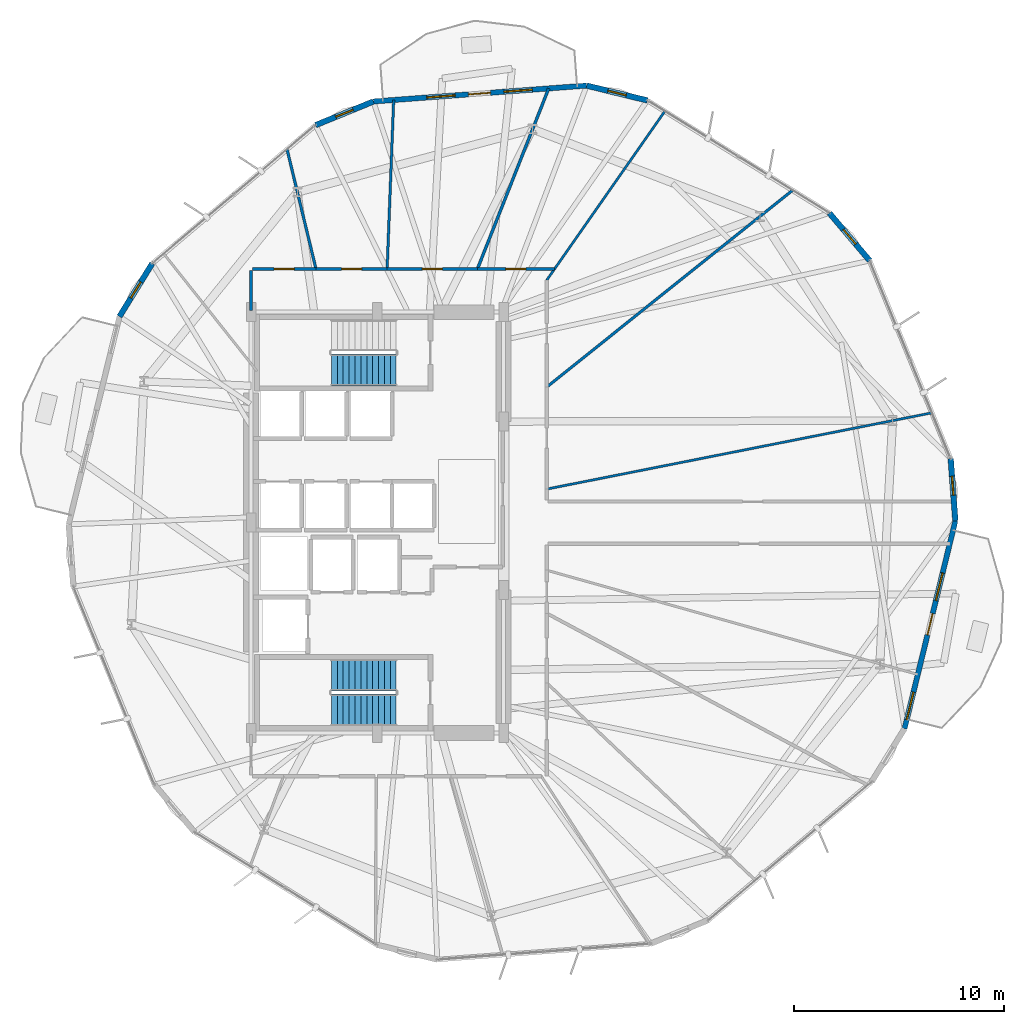
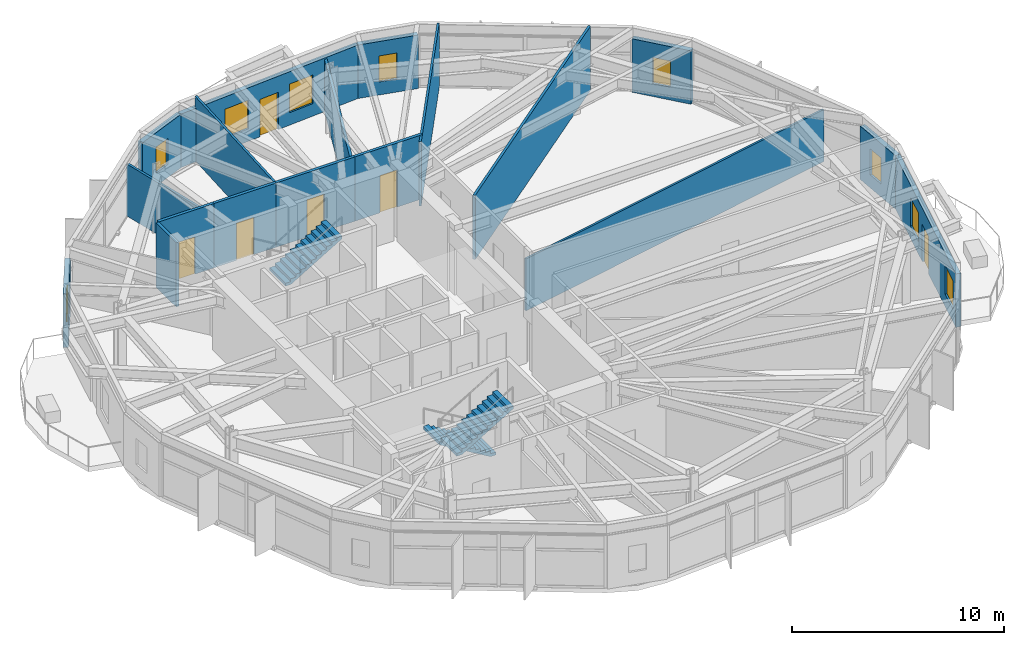
# One storey, part 18 of 22: 18 walls, 9 windows, 6 doors, 3 stair flights, 15 openings, 2 elements without a shape of their own.
"""IFC4 building model written with IfcOpenShell, lengths in metres."""

from ifc_helpers import new_model, si_unit, direction, frame, frame_2d, origin, place, context, subcontext, project, spatial, polyline, rectangle, outline, extrude, material, layer, layer_set, type_object, element, fill, aggregate, save


model = new_model("IFC4")

# Units and contexts
model_context = context("Model", 3, precision=1e-05, world=origin(), true_north=direction((0.0, 1.0)))
body_context = subcontext(model_context, "Body", "Model", "MODEL_VIEW")
ifc_project = project(units=[si_unit("LENGTHUNIT", "METRE"), si_unit("AREAUNIT", "SQUARE_METRE"), si_unit("VOLUMEUNIT", "CUBIC_METRE"), si_unit("PLANEANGLEUNIT", "RADIAN"), si_unit("MASSUNIT", "GRAM", prefix="KILO")], contexts=[model_context])

# Site, building, storey
site_placement = place(None, origin())
site = spatial("IfcSite", under=ifc_project, at=site_placement, CompositionType="ELEMENT")
building_placement = place(site_placement, origin())
building = spatial("IfcBuilding", under=site, at=building_placement, Name="Soratama Intermodal Tower", CompositionType="ELEMENT")
storey_placement = place(building_placement, frame((0.0, 0.0, 46.60009765625)))
storey = spatial("IfcBuildingStorey", under=building, at=storey_placement, Name="L10", CompositionType="ELEMENT", Elevation=46.60009765625)

# Wall, openings, door, windows
ifc_material_1 = material(Name="Concrete f'c 42 MPa", Category="concrete")
ifc_layer_1 = layer(ifc_material_1, 0.25)
ifc_layer_set_1 = layer_set([ifc_layer_1], Name="Concrete f'c 42 MPa")
wall_type_1 = type_object("IfcWallType", Name="EW-BAL-250", PredefinedType="SOLIDWALL", material=ifc_layer_set_1)
wall_1_placement = place(storey_placement, frame((48.550048828125, 45.763671875, 0.0), z_axis=(0.0, 0.0, 1.0), x_axis=(-0.997237065948, -0.07428481877, 0.0)))
wall_1 = element("IfcWall", 1, at=wall_1_placement, inside=storey, type_object=wall_type_1, Name="L10 Terrace Wall F03", PredefinedType="SOLIDWALL", context=body_context, shape_type="SweptSolid", body=[
    extrude(rectangle(XDim=10.165283203125, YDim=0.25, at=frame_2d((5.08251953125, 0.0))), origin(), (0.0, 0.0, 1.0), 3.078857421875),
])
opening_1_placement = place(wall_1_placement, frame((4.58251953125, 0.0, 0.0)))
opening_1 = element("IfcOpeningElement", 2, at=opening_1_placement, cuts=wall_1, Name="Opening ED-5", PredefinedType="OPENING", context=body_context, shape_type="SweptSolid", body=[
    extrude(rectangle(XDim=1.050048828125, YDim=2.14990234375, at=frame_2d((0.52490234375, 1.074951171875))), frame((0.0, 0.135009765625, 0.0), z_axis=(0.0, -1.0, 0.0), x_axis=(1.0, 0.0, 0.0)), (0.0, 0.0, 1.0), 0.27001953125),
])
opening_2_placement = place(wall_1_placement, frame((2.592529296875, 0.0, 0.719970703125)))
opening_2 = element("IfcOpeningElement", 3, at=opening_2_placement, cuts=wall_1, Name="Opening WN-4", PredefinedType="OPENING", context=body_context, shape_type="SweptSolid", body=[
    extrude(rectangle(XDim=1.35009765625, YDim=1.64990234375, at=frame_2d((0.675048828125, 0.824951171875))), frame((0.0, 0.135009765625, 0.0), z_axis=(0.0, -1.0, 0.0), x_axis=(1.0, 0.0, 0.0)), (0.0, 0.0, 1.0), 0.27001953125),
])
opening_3_placement = place(wall_1_placement, frame((6.272705078125, 0.0, 0.719970703125)))
opening_3 = element("IfcOpeningElement", 4, at=opening_3_placement, cuts=wall_1, Name="Opening WN-4", PredefinedType="OPENING", context=body_context, shape_type="SweptSolid", body=[
    extrude(rectangle(XDim=1.35009765625, YDim=1.64990234375, at=frame_2d((0.675048828125, 0.824951171875))), frame((0.0, 0.135009765625, 0.0), z_axis=(0.0, -1.0, 0.0), x_axis=(1.0, 0.0, 0.0)), (0.0, 0.0, 1.0), 0.27001953125),
])
ifc_material_2 = material(Name="Double-glazed aluminium door", Category="aluminium")
door_type_1 = type_object("IfcDoorType", Name="DR-BAL-1050", OperationType="NOTDEFINED", PredefinedType="DOOR", material=ifc_material_2)
door_1_placement = place(opening_1_placement, origin())
door_1 = element("IfcDoor", 5, at=door_1_placement, inside=storey, type_object=door_type_1, Name="L10 Balcony Door F03", OperationType="SINGLE_SWING_LEFT", OverallHeight=2.14990234375, OverallWidth=1.050048828125, PredefinedType="DOOR", context=body_context, shape_type="SweptSolid", body=[
    extrude(rectangle(XDim=1.050048828125, YDim=2.14990234375, at=frame_2d((0.52490234375, 1.074951171875))), frame((0.0, 0.02490234375, 0.0), z_axis=(0.0, -1.0, 0.0), x_axis=(1.0, 0.0, 0.0)), (0.0, 0.0, 1.0), 0.050048828125),
])
fill(opening_1, door_1)
ifc_material_3 = material(Name="Double-glazed aluminium window", Category="aluminium")
window_type_1 = type_object("IfcWindowType", Name="WN-FAC-1350", PartitioningType="SINGLE_PANEL", PredefinedType="WINDOW", material=ifc_material_3)
window_1_placement = place(opening_2_placement, origin())
window_1 = element("IfcWindow", 6, at=window_1_placement, inside=storey, type_object=window_type_1, Name="L10 Window A F03", OverallHeight=1.64990234375, OverallWidth=1.35009765625, PartitioningType="SINGLE_PANEL", PredefinedType="WINDOW", context=body_context, shape_type="SweptSolid", body=[
    extrude(rectangle(XDim=1.35009765625, YDim=1.64990234375, at=frame_2d((0.675048828125, 0.824951171875))), frame((0.0, 0.030029296875, 0.0), z_axis=(0.0, -1.0, 0.0), x_axis=(1.0, 0.0, 0.0)), (0.0, 0.0, 1.0), 0.06005859375),
])
fill(opening_2, window_1)
window_2_placement = place(opening_3_placement, origin())
window_2 = element("IfcWindow", 7, at=window_2_placement, inside=storey, type_object=window_type_1, Name="L10 Window B F03", OverallHeight=1.64990234375, OverallWidth=1.35009765625, PartitioningType="SINGLE_PANEL", PredefinedType="WINDOW", context=body_context, shape_type="SweptSolid", body=[
    extrude(rectangle(XDim=1.35009765625, YDim=1.64990234375, at=frame_2d((0.675048828125, 0.824951171875))), frame((0.0, 0.030029296875, 0.0), z_axis=(0.0, -1.0, 0.0), x_axis=(1.0, 0.0, 0.0)), (0.0, 0.0, 1.0), 0.06005859375),
])
fill(opening_3, window_2)

wall_2_placement = place(storey_placement, frame((63.650390625, 15.20751953125, 0.0), z_axis=(0.0, 0.0, 1.0), x_axis=(0.237531151549, 0.971379921577, 0.0)))
wall_2 = element("IfcWall", 8, at=wall_2_placement, inside=storey, type_object=wall_type_1, Name="L10 Terrace Wall F10", PredefinedType="SOLIDWALL", context=body_context, shape_type="SweptSolid", body=[
    extrude(rectangle(XDim=10.165283203125, YDim=0.25, at=frame_2d((5.08251953125, 0.0))), origin(), (0.0, 0.0, 1.0), 3.078857421875),
])
opening_4_placement = place(wall_2_placement, frame((4.58251953125, 0.0, 0.0)))
opening_4 = element("IfcOpeningElement", 9, at=opening_4_placement, cuts=wall_2, Name="Opening ED-5", PredefinedType="OPENING", context=body_context, shape_type="SweptSolid", body=[
    extrude(rectangle(XDim=1.050048828125, YDim=2.14990234375, at=frame_2d((0.52490234375, 1.074951171875))), frame((0.0, 0.135009765625, 0.0), z_axis=(0.0, -1.0, 0.0), x_axis=(1.0, 0.0, 0.0)), (0.0, 0.0, 1.0), 0.27001953125),
])
opening_5_placement = place(wall_2_placement, frame((0.43994140625, 0.0, 0.719970703125)))
opening_5 = element("IfcOpeningElement", 10, at=opening_5_placement, cuts=wall_2, Name="Opening WN-4", PredefinedType="OPENING", context=body_context, shape_type="SweptSolid", body=[
    extrude(rectangle(XDim=1.35009765625, YDim=1.64990234375, at=frame_2d((0.675048828125, 0.824951171875))), frame((0.0, 0.135009765625, 0.0), z_axis=(0.0, -1.0, 0.0), x_axis=(1.0, 0.0, 0.0)), (0.0, 0.0, 1.0), 0.27001953125),
])
opening_6_placement = place(wall_2_placement, frame((6.272705078125, 0.0, 0.719970703125)))
opening_6 = element("IfcOpeningElement", 11, at=opening_6_placement, cuts=wall_2, Name="Opening WN-4", PredefinedType="OPENING", context=body_context, shape_type="SweptSolid", body=[
    extrude(rectangle(XDim=1.35009765625, YDim=1.64990234375, at=frame_2d((0.675048828125, 0.824951171875))), frame((0.0, 0.135009765625, 0.0), z_axis=(0.0, -1.0, 0.0), x_axis=(1.0, 0.0, 0.0)), (0.0, 0.0, 1.0), 0.27001953125),
])
door_2_placement = place(opening_4_placement, origin())
door_2 = element("IfcDoor", 12, at=door_2_placement, inside=storey, type_object=door_type_1, Name="L10 Balcony Door F10", OperationType="SINGLE_SWING_RIGHT", OverallHeight=2.14990234375, OverallWidth=1.050048828125, PredefinedType="DOOR", context=body_context, shape_type="SweptSolid", body=[
    extrude(rectangle(XDim=1.050048828125, YDim=2.14990234375, at=frame_2d((0.52490234375, 1.074951171875))), frame((0.0, 0.02490234375, 0.0), z_axis=(0.0, -1.0, 0.0), x_axis=(1.0, 0.0, 0.0)), (0.0, 0.0, 1.0), 0.050048828125),
])
fill(opening_4, door_2)
window_3_placement = place(opening_5_placement, origin())
window_3 = element("IfcWindow", 13, at=window_3_placement, inside=storey, type_object=window_type_1, Name="L10 Window A F10", OverallHeight=1.64990234375, OverallWidth=1.35009765625, PartitioningType="SINGLE_PANEL", PredefinedType="WINDOW", context=body_context, shape_type="SweptSolid", body=[
    extrude(rectangle(XDim=1.35009765625, YDim=1.64990234375, at=frame_2d((0.675048828125, 0.824951171875))), frame((0.0, 0.030029296875, 0.0), z_axis=(0.0, -1.0, 0.0), x_axis=(1.0, 0.0, 0.0)), (0.0, 0.0, 1.0), 0.06005859375),
])
fill(opening_5, window_3)
window_4_placement = place(opening_6_placement, origin())
window_4 = element("IfcWindow", 14, at=window_4_placement, inside=storey, type_object=window_type_1, Name="L10 Window B F10", OverallHeight=1.64990234375, OverallWidth=1.35009765625, PartitioningType="SINGLE_PANEL", PredefinedType="WINDOW", context=body_context, shape_type="SweptSolid", body=[
    extrude(rectangle(XDim=1.35009765625, YDim=1.64990234375, at=frame_2d((0.675048828125, 0.824951171875))), frame((0.0, 0.030029296875, 0.0), z_axis=(0.0, -1.0, 0.0), x_axis=(1.0, 0.0, 0.0)), (0.0, 0.0, 1.0), 0.06005859375),
])
fill(opening_6, window_4)

# Wall, opening, window
ifc_material_4 = material(Name="Concrete f'c 42 MPa", Category="concrete")
ifc_layer_2 = layer(ifc_material_4, 0.27001953125)
ifc_layer_set_2 = layer_set([ifc_layer_2], Name="Concrete f'c 42 MPa")
wall_type_2 = type_object("IfcWallType", Name="EW-CRN-270", PredefinedType="SOLIDWALL", material=ifc_layer_set_2)
wall_3_placement = place(storey_placement, frame((61.993896484375, 37.44775390625, 0.0), z_axis=(0.0, 0.0, 1.0), x_axis=(-0.646259445531, 0.763117768803, 0.0)))
wall_3 = element("IfcWall", 15, at=wall_3_placement, inside=storey, type_object=wall_type_2, Name="L10 Corner Closure Wall 01", PredefinedType="SOLIDWALL", context=body_context, shape_type="SweptSolid", body=[
    extrude(rectangle(XDim=2.966552734375, YDim=0.27001953125, at=frame_2d((1.4833984375, 0.0))), origin(), (0.0, 0.0, 1.0), 3.078857421875),
])
opening_7_placement = place(wall_3_placement, frame((1.033203125, 0.0, 0.75)))
opening_7 = element("IfcOpeningElement", 16, at=opening_7_placement, cuts=wall_3, Name="Opening WN-6", PredefinedType="OPENING", context=body_context, shape_type="SweptSolid", body=[
    extrude(rectangle(XDim=0.89990234375, YDim=1.5, at=frame_2d((0.449951171875, 0.75))), frame((0.0, 0.14501953125, 0.0), z_axis=(0.0, -1.0, 0.0), x_axis=(1.0, 0.0, 0.0)), (0.0, 0.0, 1.0), 0.2900390625),
])
ifc_material_5 = material(Name="Double-glazed aluminium window", Category="aluminium")
window_type_2 = type_object("IfcWindowType", Name="WN-FAC-900", PartitioningType="SINGLE_PANEL", PredefinedType="WINDOW", material=ifc_material_5)
window_5_placement = place(opening_7_placement, origin())
window_5 = element("IfcWindow", 17, at=window_5_placement, inside=storey, type_object=window_type_2, Name="L10 Corner Window 01", OverallHeight=1.5, OverallWidth=0.89990234375, PartitioningType="SINGLE_PANEL", PredefinedType="WINDOW", context=body_context, shape_type="SweptSolid", body=[
    extrude(rectangle(XDim=0.89990234375, YDim=1.5, at=frame_2d((0.449951171875, 0.75))), frame((0.0, 0.030029296875, 0.0), z_axis=(0.0, -1.0, 0.0), x_axis=(1.0, 0.0, 0.0)), (0.0, 0.0, 1.0), 0.06005859375),
])
fill(opening_7, window_5)

wall_4_placement = place(storey_placement, frame((51.431640625, 45.05908203125, 0.0), z_axis=(0.0, 0.0, 1.0), x_axis=(-0.971383395834, 0.237516943182, 0.0)))
wall_4 = element("IfcWall", 18, at=wall_4_placement, inside=storey, type_object=wall_type_2, Name="L10 Corner Closure Wall 02", PredefinedType="SOLIDWALL", context=body_context, shape_type="SweptSolid", body=[
    extrude(rectangle(XDim=2.966552734375, YDim=0.27001953125, at=frame_2d((1.4833984375, 0.0))), origin(), (0.0, 0.0, 1.0), 3.078857421875),
])
opening_8_placement = place(wall_4_placement, frame((1.033203125, 0.0, 0.75)))
opening_8 = element("IfcOpeningElement", 19, at=opening_8_placement, cuts=wall_4, Name="Opening WN-6", PredefinedType="OPENING", context=body_context, shape_type="SweptSolid", body=[
    extrude(rectangle(XDim=0.89990234375, YDim=1.5, at=frame_2d((0.449951171875, 0.75))), frame((0.0, 0.14501953125, 0.0), z_axis=(0.0, -1.0, 0.0), x_axis=(1.0, 0.0, 0.0)), (0.0, 0.0, 1.0), 0.2900390625),
])
window_6_placement = place(opening_8_placement, origin())
window_6 = element("IfcWindow", 20, at=window_6_placement, inside=storey, type_object=window_type_2, Name="L10 Corner Window 02", OverallHeight=1.5, OverallWidth=0.89990234375, PartitioningType="SINGLE_PANEL", PredefinedType="WINDOW", context=body_context, shape_type="SweptSolid", body=[
    extrude(rectangle(XDim=0.89990234375, YDim=1.5, at=frame_2d((0.449951171875, 0.75))), frame((0.0, 0.030029296875, 0.0), z_axis=(0.0, -1.0, 0.0), x_axis=(1.0, 0.0, 0.0)), (0.0, 0.0, 1.0), 0.06005859375),
])
fill(opening_8, window_6)

wall_5_placement = place(storey_placement, frame((38.412841796875, 45.008544921875, 0.0), z_axis=(0.0, 0.0, 1.0), x_axis=(-0.925495818017, -0.378757826102, 0.0)))
wall_5 = element("IfcWall", 21, at=wall_5_placement, inside=storey, type_object=wall_type_2, Name="L10 Corner Closure Wall 03", PredefinedType="SOLIDWALL", context=body_context, shape_type="SweptSolid", body=[
    extrude(rectangle(XDim=2.96630859375, YDim=0.27001953125, at=frame_2d((1.483154296875, 0.0))), origin(), (0.0, 0.0, 1.0), 3.078857421875),
])
opening_9_placement = place(wall_5_placement, frame((1.033203125, 0.0, 0.75)))
opening_9 = element("IfcOpeningElement", 22, at=opening_9_placement, cuts=wall_5, Name="Opening WN-6", PredefinedType="OPENING", context=body_context, shape_type="SweptSolid", body=[
    extrude(rectangle(XDim=0.89990234375, YDim=1.5, at=frame_2d((0.449951171875, 0.75))), frame((0.0, 0.14501953125, 0.0), z_axis=(0.0, -1.0, 0.0), x_axis=(1.0, 0.0, 0.0)), (0.0, 0.0, 1.0), 0.2900390625),
])
window_7_placement = place(opening_9_placement, origin())
window_7 = element("IfcWindow", 23, at=window_7_placement, inside=storey, type_object=window_type_2, Name="L10 Corner Window 03", OverallHeight=1.5, OverallWidth=0.89990234375, PartitioningType="SINGLE_PANEL", PredefinedType="WINDOW", context=body_context, shape_type="SweptSolid", body=[
    extrude(rectangle(XDim=0.89990234375, YDim=1.5, at=frame_2d((0.449951171875, 0.75))), frame((0.0, 0.030029296875, 0.0), z_axis=(0.0, -1.0, 0.0), x_axis=(1.0, 0.0, 0.0)), (0.0, 0.0, 1.0), 0.06005859375),
])
fill(opening_9, window_7)

wall_6_placement = place(storey_placement, frame((27.91015625, 37.3154296875, 0.0), z_axis=(0.0, 0.0, 1.0), x_axis=(-0.526042929665, -0.850458015513, 0.0)))
wall_6 = element("IfcWall", 24, at=wall_6_placement, inside=storey, type_object=wall_type_2, Name="L10 Corner Closure Wall 04", PredefinedType="SOLIDWALL", context=body_context, shape_type="SweptSolid", body=[
    extrude(rectangle(XDim=2.966552734375, YDim=0.27001953125, at=frame_2d((1.4833984375, 0.0))), origin(), (0.0, 0.0, 1.0), 3.078857421875),
])
opening_10_placement = place(wall_6_placement, frame((1.033203125, 0.0, 0.75)))
opening_10 = element("IfcOpeningElement", 25, at=opening_10_placement, cuts=wall_6, Name="Opening WN-6", PredefinedType="OPENING", context=body_context, shape_type="SweptSolid", body=[
    extrude(rectangle(XDim=0.89990234375, YDim=1.5, at=frame_2d((0.449951171875, 0.75))), frame((0.0, 0.14501953125, 0.0), z_axis=(0.0, -1.0, 0.0), x_axis=(1.0, 0.0, 0.0)), (0.0, 0.0, 1.0), 0.2900390625),
])
window_8_placement = place(opening_10_placement, origin())
window_8 = element("IfcWindow", 26, at=window_8_placement, inside=storey, type_object=window_type_2, Name="L10 Corner Window 04", OverallHeight=1.5, OverallWidth=0.89990234375, PartitioningType="SINGLE_PANEL", PredefinedType="WINDOW", context=body_context, shape_type="SweptSolid", body=[
    extrude(rectangle(XDim=0.89990234375, YDim=1.5, at=frame_2d((0.449951171875, 0.75))), frame((0.0, 0.030029296875, 0.0), z_axis=(0.0, -1.0, 0.0), x_axis=(1.0, 0.0, 0.0)), (0.0, 0.0, 1.0), 0.06005859375),
])
fill(opening_10, window_8)

wall_7_placement = place(storey_placement, frame((66.06494140625, 25.081787109375, 0.0), z_axis=(0.0, 0.0, 1.0), x_axis=(-0.074317313224, 0.997234644883, 0.0)))
wall_7 = element("IfcWall", 27, at=wall_7_placement, inside=storey, type_object=wall_type_2, Name="L10 Corner Closure Wall 10", PredefinedType="SOLIDWALL", context=body_context, shape_type="SweptSolid", body=[
    extrude(rectangle(XDim=2.966552734375, YDim=0.27001953125, at=frame_2d((1.4833984375, 0.0))), origin(), (0.0, 0.0, 1.0), 3.078857421875),
])
opening_11_placement = place(wall_7_placement, frame((1.227783203125, 0.0, 0.75)))
opening_11 = element("IfcOpeningElement", 28, at=opening_11_placement, cuts=wall_7, Name="Opening WN-6", PredefinedType="OPENING", context=body_context, shape_type="SweptSolid", body=[
    extrude(rectangle(XDim=0.89990234375, YDim=1.5, at=frame_2d((0.449951171875, 0.75))), frame((0.0, 0.14501953125, 0.0), z_axis=(0.0, -1.0, 0.0), x_axis=(1.0, 0.0, 0.0)), (0.0, 0.0, 1.0), 0.2900390625),
])
window_9_placement = place(opening_11_placement, origin())
window_9 = element("IfcWindow", 29, at=window_9_placement, inside=storey, type_object=window_type_2, Name="L10 Corner Window 10", OverallHeight=1.5, OverallWidth=0.89990234375, PartitioningType="SINGLE_PANEL", PredefinedType="WINDOW", context=body_context, shape_type="SweptSolid", body=[
    extrude(rectangle(XDim=0.89990234375, YDim=1.5, at=frame_2d((0.449951171875, 0.75))), frame((0.0, 0.030029296875, 0.0), z_axis=(0.0, -1.0, 0.0), x_axis=(1.0, 0.0, 0.0)), (0.0, 0.0, 1.0), 0.06005859375),
])
fill(opening_11, window_9)

# Wall, opening, door
ifc_material_6 = material(Name="Fire-rated gypsum stud partition", Category="concrete")
ifc_layer_3 = layer(ifc_material_6, 0.159912109375)
ifc_layer_set_3 = layer_set([ifc_layer_3], Name="Fire-rated gypsum stud partition")
wall_type_3 = type_object("IfcWallType", Name="IW-PART-R160", PredefinedType="PARTITIONING", material=ifc_layer_set_3)
wall_8_placement = place(storey_placement, frame((39.06689453125, 37.050048828125, 0.0), z_axis=(0.0, 0.0, 1.0), x_axis=(1.0, 0.0, 0.0)))
wall_8 = element("IfcWall", 30, at=wall_8_placement, inside=storey, type_object=wall_type_3, Name="L10 Partition W-L10-TP023", PredefinedType="PARTITIONING", context=body_context, shape_type="SweptSolid", body=[
    extrude(rectangle(XDim=4.2900390625, YDim=0.159912109375, at=frame_2d((2.14501953125, 0.0))), origin(), (0.0, 0.0, 1.0), 3.699951171875),
])
opening_12_placement = place(wall_8_placement, frame((1.669921875, 0.0, 0.0)))
opening_12 = element("IfcOpeningElement", 31, at=opening_12_placement, cuts=wall_8, Name="Opening ID-3", PredefinedType="OPENING", context=body_context, shape_type="SweptSolid", body=[
    extrude(rectangle(XDim=0.949951171875, YDim=2.14990234375, at=frame_2d((0.47509765625, 1.074951171875))), frame((0.0, 0.08984375, 0.0), z_axis=(0.0, -1.0, 0.0), x_axis=(1.0, 0.0, 0.0)), (0.0, 0.0, 1.0), 0.179931640625),
])
ifc_material_7 = material(Name="Solid hardwood acoustic door", Category="wood")
door_type_2 = type_object("IfcDoorType", Name="DR-ROOM-950", OperationType="NOTDEFINED", PredefinedType="DOOR", material=ifc_material_7)
door_3_placement = place(opening_12_placement, origin())
door_3 = element("IfcDoor", 32, at=door_3_placement, inside=storey, type_object=door_type_2, Name="L10 Door D-L10-TP009", OperationType="SINGLE_SWING_RIGHT", OverallHeight=2.14990234375, OverallWidth=0.949951171875, PredefinedType="DOOR", context=body_context, shape_type="SweptSolid", body=[
    extrude(rectangle(XDim=0.949951171875, YDim=2.14990234375, at=frame_2d((0.47509765625, 1.074951171875))), frame((0.0, 0.02490234375, 0.0), z_axis=(0.0, -1.0, 0.0), x_axis=(1.0, 0.0, 0.0)), (0.0, 0.0, 1.0), 0.050048828125),
])
fill(opening_12, door_3)

wall_9_placement = place(storey_placement, frame((43.35693359375, 37.050048828125, 0.0), z_axis=(0.0, 0.0, 1.0), x_axis=(1.0, 0.0, 0.0)))
wall_9 = element("IfcWall", 33, at=wall_9_placement, inside=storey, type_object=wall_type_3, Name="L10 Partition W-L10-TP024", PredefinedType="PARTITIONING", context=body_context, shape_type="SweptSolid", body=[
    extrude(rectangle(XDim=3.6640625, YDim=0.159912109375, at=frame_2d((1.83203125, 0.0))), origin(), (0.0, 0.0, 1.0), 3.699951171875),
])
opening_13_placement = place(wall_9_placement, frame((1.35693359375, 0.0, 0.0)))
opening_13 = element("IfcOpeningElement", 34, at=opening_13_placement, cuts=wall_9, Name="Opening ID-3", PredefinedType="OPENING", context=body_context, shape_type="SweptSolid", body=[
    extrude(rectangle(XDim=0.949951171875, YDim=2.14990234375, at=frame_2d((0.47509765625, 1.074951171875))), frame((0.0, 0.08984375, 0.0), z_axis=(0.0, -1.0, 0.0), x_axis=(1.0, 0.0, 0.0)), (0.0, 0.0, 1.0), 0.179931640625),
])
door_4_placement = place(opening_13_placement, origin())
door_4 = element("IfcDoor", 35, at=door_4_placement, inside=storey, type_object=door_type_2, Name="L10 Door D-L10-TP010", OperationType="SINGLE_SWING_LEFT", OverallHeight=2.14990234375, OverallWidth=0.949951171875, PredefinedType="DOOR", context=body_context, shape_type="SweptSolid", body=[
    extrude(rectangle(XDim=0.949951171875, YDim=2.14990234375, at=frame_2d((0.47509765625, 1.074951171875))), frame((0.0, 0.02490234375, 0.0), z_axis=(0.0, -1.0, 0.0), x_axis=(1.0, 0.0, 0.0)), (0.0, 0.0, 1.0), 0.050048828125),
])
fill(opening_13, door_4)

wall_10_placement = place(storey_placement, frame((35.68701171875, 37.050048828125, 0.0), z_axis=(0.0, 0.0, 1.0), x_axis=(1.0, 0.0, 0.0)))
wall_10 = element("IfcWall", 36, at=wall_10_placement, inside=storey, type_object=wall_type_3, Name="L10 Partition W-L10-TP026", PredefinedType="PARTITIONING", context=body_context, shape_type="SweptSolid", body=[
    extrude(rectangle(XDim=3.3798828125, YDim=0.159912109375, at=frame_2d((1.68994140625, 0.0))), origin(), (0.0, 0.0, 1.0), 3.699951171875),
])
opening_14_placement = place(wall_10_placement, frame((1.215087890625, 0.0, 0.0)))
opening_14 = element("IfcOpeningElement", 37, at=opening_14_placement, cuts=wall_10, Name="Opening ID-3", PredefinedType="OPENING", context=body_context, shape_type="SweptSolid", body=[
    extrude(rectangle(XDim=0.949951171875, YDim=2.14990234375, at=frame_2d((0.47509765625, 1.074951171875))), frame((0.0, 0.08984375, 0.0), z_axis=(0.0, -1.0, 0.0), x_axis=(1.0, 0.0, 0.0)), (0.0, 0.0, 1.0), 0.179931640625),
])
door_5_placement = place(opening_14_placement, origin())
door_5 = element("IfcDoor", 38, at=door_5_placement, inside=storey, type_object=door_type_2, Name="L10 Door D-L10-TP012", OperationType="SINGLE_SWING_LEFT", OverallHeight=2.14990234375, OverallWidth=0.949951171875, PredefinedType="DOOR", context=body_context, shape_type="SweptSolid", body=[
    extrude(rectangle(XDim=0.949951171875, YDim=2.14990234375, at=frame_2d((0.47509765625, 1.074951171875))), frame((0.0, 0.02490234375, 0.0), z_axis=(0.0, -1.0, 0.0), x_axis=(1.0, 0.0, 0.0)), (0.0, 0.0, 1.0), 0.050048828125),
])
fill(opening_14, door_5)

wall_11_placement = place(storey_placement, frame((32.669921875, 37.050048828125, 0.0), z_axis=(0.0, 0.0, 1.0), x_axis=(1.0, 0.0, 0.0)))
wall_11 = element("IfcWall", 39, at=wall_11_placement, inside=storey, type_object=wall_type_3, Name="L10 Partition W-L10-TP029", PredefinedType="PARTITIONING", context=body_context, shape_type="SweptSolid", body=[
    extrude(rectangle(XDim=3.01708984375, YDim=0.159912109375, at=frame_2d((1.508544921875, 0.0))), origin(), (0.0, 0.0, 1.0), 3.699951171875),
])
opening_15_placement = place(wall_11_placement, frame((1.032958984375, 0.0, 0.0)))
opening_15 = element("IfcOpeningElement", 40, at=opening_15_placement, cuts=wall_11, Name="Opening ID-3", PredefinedType="OPENING", context=body_context, shape_type="SweptSolid", body=[
    extrude(rectangle(XDim=0.949951171875, YDim=2.14990234375, at=frame_2d((0.47509765625, 1.074951171875))), frame((0.0, 0.08984375, 0.0), z_axis=(0.0, -1.0, 0.0), x_axis=(1.0, 0.0, 0.0)), (0.0, 0.0, 1.0), 0.179931640625),
])
door_6_placement = place(opening_15_placement, origin())
door_6 = element("IfcDoor", 41, at=door_6_placement, inside=storey, type_object=door_type_2, Name="L10 Door D-L10-TP015", OperationType="SINGLE_SWING_RIGHT", OverallHeight=2.14990234375, OverallWidth=0.949951171875, PredefinedType="DOOR", context=body_context, shape_type="SweptSolid", body=[
    extrude(rectangle(XDim=0.949951171875, YDim=2.14990234375, at=frame_2d((0.47509765625, 1.074951171875))), frame((0.0, 0.02490234375, 0.0), z_axis=(0.0, -1.0, 0.0), x_axis=(1.0, 0.0, 0.0)), (0.0, 0.0, 1.0), 0.050048828125),
])
fill(opening_15, door_6)

# Walls
wall_12_placement = place(storey_placement, frame((32.60009765625, 35.070068359375, 0.0), z_axis=(0.0, 0.0, 1.0), x_axis=(0.0, 1.0, 0.0)))
element("IfcWall", 42, at=wall_12_placement, inside=storey, type_object=wall_type_3, Name="L10 Partition W-L10-TP032", PredefinedType="PARTITIONING", context=body_context, shape_type="SweptSolid", body=[
    extrude(rectangle(XDim=1.909912109375, YDim=0.159912109375, at=frame_2d((0.955078125, 0.0))), origin(), (0.0, 0.0, 1.0), 3.699951171875),
])
ifc_material_8 = material(Name="Fire-rated gypsum stud partition", Category="concrete")
ifc_layer_4 = layer(ifc_material_8, 0.110107421875)
ifc_layer_set_4 = layer_set([ifc_layer_4], Name="Fire-rated gypsum stud partition")
wall_type_4 = type_object("IfcWallType", Name="IW-PART-S110", PredefinedType="PARTITIONING", material=ifc_layer_set_4)
wall_13_placement = place(storey_placement, frame((46.64990234375, 26.593017578125, 0.0), z_axis=(0.0, 0.0, 1.0), x_axis=(0.980968245678, 0.194168228531, 0.0)))
element("IfcWall", 43, at=wall_13_placement, inside=storey, type_object=wall_type_4, Name="L10 Partition W-L10-TP003", PredefinedType="PARTITIONING", context=body_context, shape_type="SweptSolid", body=[
    extrude(rectangle(XDim=18.659423828125, YDim=0.110107421875, at=frame_2d((9.32958984375, 0.0))), origin(), (0.0, 0.0, 1.0), 2.994873046875),
])
wall_14_placement = place(storey_placement, frame((46.64990234375, 36.51904296875, 0.0), z_axis=(0.0, 0.0, 1.0), x_axis=(0.5729335383, 0.81960183058, 0.0)))
element("IfcWall", 44, at=wall_14_placement, inside=storey, type_object=wall_type_4, Name="L10 Partition W-L10-TP008", PredefinedType="PARTITIONING", context=body_context, shape_type="SweptSolid", body=[
    extrude(rectangle(XDim=9.793701171875, YDim=0.110107421875, at=frame_2d((4.89697265625, 0.0))), origin(), (0.0, 0.0, 1.0), 3.699951171875),
])
ifc_material_9 = material(Name="Fire-rated gypsum stud partition", Category="concrete")
ifc_layer_5 = layer(ifc_material_9, 0.1201171875)
ifc_layer_set_5 = layer_set([ifc_layer_5], Name="Fire-rated gypsum stud partition")
wall_type_5 = type_object("IfcWallType", Name="IW-PART-S120", PredefinedType="PARTITIONING", material=ifc_layer_set_5)
wall_15_placement = place(storey_placement, frame((39.06689453125, 37.050048828125, 0.0), z_axis=(0.0, 0.0, 1.0), x_axis=(0.038704976086, 0.999250681674, 0.0)))
element("IfcWall", 45, at=wall_15_placement, inside=storey, type_object=wall_type_5, Name="L10 Partition W-L10-TP012", PredefinedType="PARTITIONING", context=body_context, shape_type="SweptSolid", body=[
    extrude(rectangle(XDim=8.0361328125, YDim=0.1201171875, at=frame_2d((4.01806640625, 0.0))), origin(), (0.0, 0.0, 1.0), 3.699951171875),
])
ifc_material_10 = material(Name="Fire-rated gypsum stud partition", Category="concrete")
ifc_layer_6 = layer(ifc_material_10, 0.1298828125)
ifc_layer_set_6 = layer_set([ifc_layer_6], Name="Fire-rated gypsum stud partition")
wall_type_6 = type_object("IfcWallType", Name="IW-PART-S130", PredefinedType="PARTITIONING", material=ifc_layer_set_6)
wall_16_placement = place(storey_placement, frame((46.64990234375, 31.44189453125, 0.0), z_axis=(0.0, 0.0, 1.0), x_axis=(0.780814683149, 0.624762699414, 0.0)))
element("IfcWall", 46, at=wall_16_placement, inside=storey, type_object=wall_type_6, Name="L10 Partition W-L10-TP006", PredefinedType="PARTITIONING", context=body_context, shape_type="SweptSolid", body=[
    extrude(rectangle(XDim=14.962646484375, YDim=0.1298828125, at=frame_2d((7.4814453125, 0.0))), origin(), (0.0, 0.0, 1.0), 3.699951171875),
])
wall_17_placement = place(storey_placement, frame((35.68701171875, 37.050048828125, 0.0), z_axis=(0.0, 0.0, 1.0), x_axis=(-0.235165303417, 0.971955389958, 0.0)))
element("IfcWall", 47, at=wall_17_placement, inside=storey, type_object=wall_type_6, Name="L10 Partition W-L10-TP016", PredefinedType="PARTITIONING", context=body_context, shape_type="SweptSolid", body=[
    extrude(rectangle(XDim=5.85107421875, YDim=0.1298828125, at=frame_2d((2.925537109375, 0.0))), origin(), (0.0, 0.0, 1.0), 2.994873046875),
])
ifc_material_11 = material(Name="Fire-rated gypsum stud partition", Category="concrete")
ifc_layer_7 = layer(ifc_material_11, 0.139892578125)
ifc_layer_set_7 = layer_set([ifc_layer_7], Name="Fire-rated gypsum stud partition")
wall_type_7 = type_object("IfcWallType", Name="IW-PART-S140", PredefinedType="PARTITIONING", material=ifc_layer_set_7)
wall_18_placement = place(storey_placement, frame((43.35693359375, 37.050048828125, 0.0), z_axis=(0.0, 0.0, 1.0), x_axis=(0.367220172229, 0.930134046849, 0.0)))
element("IfcWall", 48, at=wall_18_placement, inside=storey, type_object=wall_type_7, Name="L10 Partition W-L10-TP010", PredefinedType="PARTITIONING", context=body_context, shape_type="SweptSolid", body=[
    extrude(rectangle(XDim=9.22314453125, YDim=0.139892578125, at=frame_2d((4.611572265625, 0.0))), origin(), (0.0, 0.0, 1.0), 2.994873046875),
])

# Stair, stair flights
ifc_material_12 = material(Name="Concrete f'c 42 MPa", Category="concrete")
stair_type = type_object("IfcStairType", Name="ST-CORE-DOGLEG", PredefinedType="HALF_TURN_STAIR", material=ifc_material_12)
stair_1_placement = place(storey_placement, origin())
stair_1 = element("IfcStair", 49, at=stair_1_placement, inside=storey, type_object=stair_type, Name="L10 ST-1", PredefinedType="HALF_TURN_STAIR")
ifc_material_13 = material(Name="Precast concrete f'c 40 MPa", Category="concrete")
ifc_layer_8 = layer(ifc_material_13, 0.199951171875)
ifc_layer_set_8 = layer_set([ifc_layer_8], Name="Precast concrete f'c 40 MPa")
stair_flight_type = type_object("IfcStairFlightType", Name="SF-FLIGHT-RC", PredefinedType="STRAIGHT", material=ifc_layer_set_8)
stair_flight_1_placement = place(storey_placement, frame((39.5, 17.75, 0.0), z_axis=(0.0, 0.0, 1.0), x_axis=(-1.0, 0.0, 0.0)))
stair_flight_1 = element("IfcStairFlight", 50, at=stair_flight_1_placement, type_object=stair_flight_type, Name="ST-1 flight 1", NumberOfRisers=12, NumberOfTreads=11, PredefinedType="STRAIGHT", RiserHeight=0.166666667, TreadLength=0.28, context=body_context, shape_type="SweptSolid", body=[
    extrude(outline(polyline([(0.0, 0.0), (0.0, 0.166748046875), (0.280029296875, 0.166748046875), (0.280029296875, 0.333251953125), (0.56005859375, 0.333251953125), (0.56005859375, 0.5), (0.840087890625, 0.5), (0.840087890625, 0.666748046875), (1.1201171875, 0.666748046875), (1.1201171875, 0.833251953125), (1.39990234375, 0.833251953125), (1.39990234375, 1.0), (1.679931640625, 1.0), (1.679931640625, 1.166748046875), (1.9599609375, 1.166748046875), (1.9599609375, 1.333251953125), (2.239990234375, 1.333251953125), (2.239990234375, 1.5), (2.52001953125, 1.5), (2.52001953125, 1.666748046875), (2.800048828125, 1.666748046875), (2.800048828125, 1.833251953125), (3.080078125, 1.833251953125), (3.080078125, 2.0), (3.080078125, 1.658935546875), (0.29296875, 0.0), (0.0, 0.0)])), frame((0.0, 0.75, 0.0), z_axis=(0.0, -1.0, 0.0), x_axis=(1.0, 0.0, 0.0)), (0.0, 0.0, 1.0), 1.5),
])
stair_flight_2_placement = place(storey_placement, frame((36.419921875, 16.10009765625, 2.0), z_axis=(0.0, 0.0, 1.0), x_axis=(1.0, 0.0, 0.0)))
stair_flight_2 = element("IfcStairFlight", 51, at=stair_flight_2_placement, type_object=stair_flight_type, Name="ST-1 flight 2", NumberOfRisers=12, NumberOfTreads=11, PredefinedType="STRAIGHT", RiserHeight=0.166666667, TreadLength=0.28, context=body_context, shape_type="SweptSolid", body=[
    extrude(outline(polyline([(0.0, 0.0), (0.0, 0.166748046875), (0.280029296875, 0.166748046875), (0.280029296875, 0.333251953125), (0.56005859375, 0.333251953125), (0.56005859375, 0.5), (0.840087890625, 0.5), (0.840087890625, 0.666748046875), (1.1201171875, 0.666748046875), (1.1201171875, 0.833251953125), (1.39990234375, 0.833251953125), (1.39990234375, 1.0), (1.679931640625, 1.0), (1.679931640625, 1.166748046875), (1.9599609375, 1.166748046875), (1.9599609375, 1.333251953125), (2.239990234375, 1.333251953125), (2.239990234375, 1.5), (2.52001953125, 1.5), (2.52001953125, 1.666748046875), (2.800048828125, 1.666748046875), (2.800048828125, 1.833251953125), (3.080078125, 1.833251953125), (3.080078125, 2.0), (3.080078125, 1.658935546875), (0.29296875, 0.0), (0.0, 0.0)])), frame((0.0, 0.75, 0.0), z_axis=(0.0, -1.0, 0.0), x_axis=(1.0, 0.0, 0.0)), (0.0, 0.0, 1.0), 1.5),
])
aggregate(stair_1, [stair_flight_1, stair_flight_2])

# Stair, stair flight
stair_2_placement = place(storey_placement, origin())
stair_2 = element("IfcStair", 52, at=stair_2_placement, inside=storey, type_object=stair_type, Name="L10 ST-2", PredefinedType="HALF_TURN_STAIR")
stair_flight_3_placement = place(storey_placement, frame((36.419921875, 32.25, 2.0), z_axis=(0.0, 0.0, 1.0), x_axis=(1.0, 0.0, 0.0)))
stair_flight_3 = element("IfcStairFlight", 53, at=stair_flight_3_placement, type_object=stair_flight_type, Name="ST-2 flight 2", NumberOfRisers=12, NumberOfTreads=11, PredefinedType="STRAIGHT", RiserHeight=0.166666667, TreadLength=0.28, context=body_context, shape_type="SweptSolid", body=[
    extrude(outline(polyline([(0.0, 0.0), (0.0, 0.166748046875), (0.280029296875, 0.166748046875), (0.280029296875, 0.333251953125), (0.56005859375, 0.333251953125), (0.56005859375, 0.5), (0.840087890625, 0.5), (0.840087890625, 0.666748046875), (1.1201171875, 0.666748046875), (1.1201171875, 0.833251953125), (1.39990234375, 0.833251953125), (1.39990234375, 1.0), (1.679931640625, 1.0), (1.679931640625, 1.166748046875), (1.9599609375, 1.166748046875), (1.9599609375, 1.333251953125), (2.239990234375, 1.333251953125), (2.239990234375, 1.5), (2.52001953125, 1.5), (2.52001953125, 1.666748046875), (2.800048828125, 1.666748046875), (2.800048828125, 1.833251953125), (3.080078125, 1.833251953125), (3.080078125, 2.0), (3.080078125, 1.658935546875), (0.29296875, 0.0), (0.0, 0.0)])), frame((0.0, 0.75, 0.0), z_axis=(0.0, -1.0, 0.0), x_axis=(1.0, 0.0, 0.0)), (0.0, 0.0, 1.0), 1.5),
])
aggregate(stair_2, [stair_flight_3])

save(model, "model.ifc")
